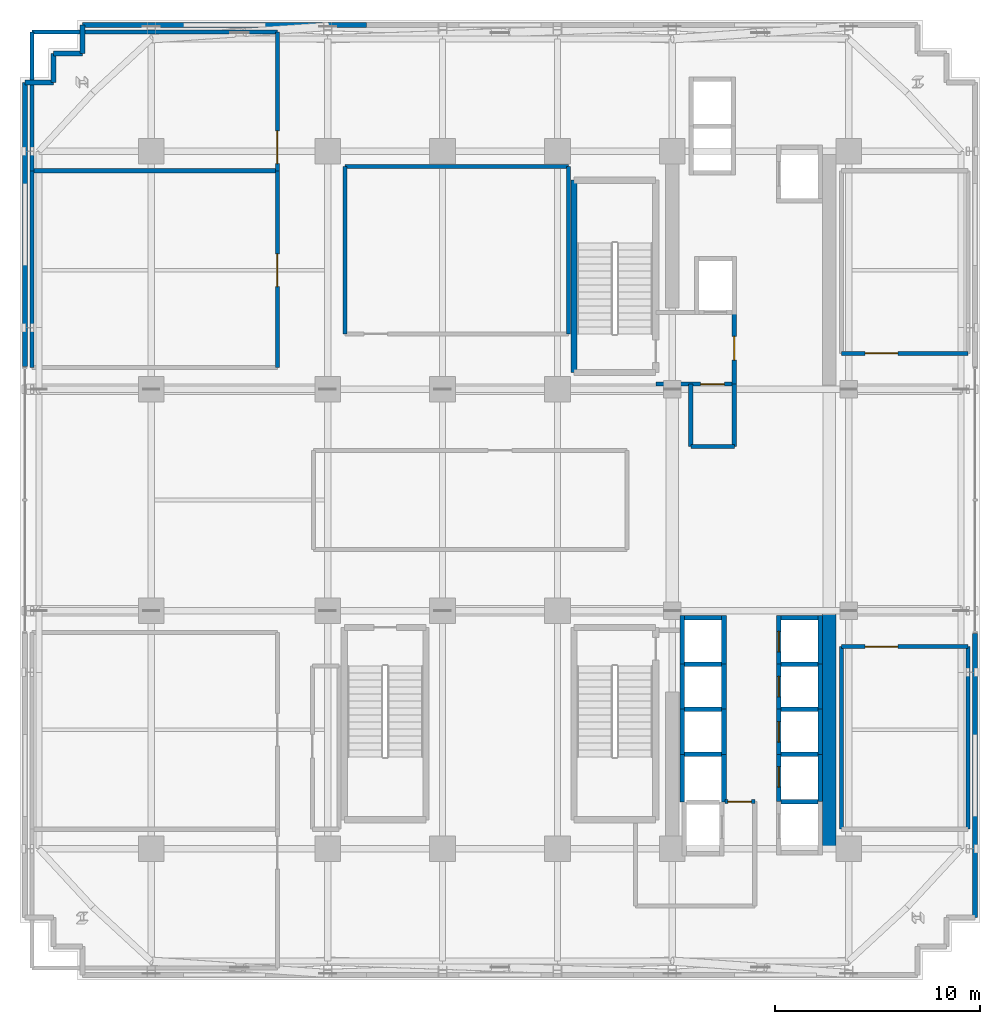
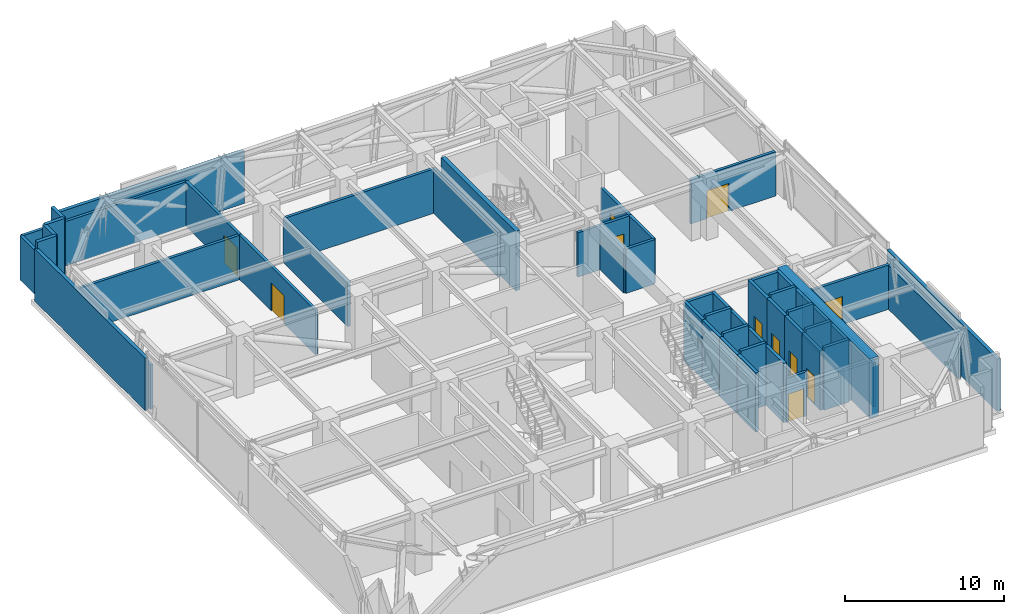
# One storey, part 10 of 15: 53 walls, 11 doors, 11 openings.
"""IFC4 building model written with IfcOpenShell, lengths in metres."""

import ifcopenshell
import ifcopenshell.guid

model = None  # the IFC model being written
_history = None  # IfcOwnerHistory: only IFC2X3 demands one
_inside = {}  # id of a spatial element -> (the spatial element, [elements in it])
_under = {}  # id of a project, library or spatial element -> (it, [spatial elements below it])
_declared = {}  # id of a project -> (the project, [libraries it declares])
_typed = {}  # id of a type object -> (the type object, [elements of that type])
_made_of = {}  # id of a material, layer set ... -> (it, [elements and type objects made of it])


def new_model(schema):
    """Start an empty IFC model of exactly this schema.

    Asked for "IFC4X3", IfcOpenShell would pick the latest addendum, in which some entities
    have other attributes; the version numbers below select the first issue.
    IFC2X3 requires an IfcOwnerHistory on every rooted entity: one is made here for all.
    """
    global model, _history
    if schema == "IFC4X3":
        model = ifcopenshell.file(schema_version=(4, 3, 0, 0))
    else:
        model = ifcopenshell.file(schema=schema)
    _inside.clear()
    _under.clear()
    _declared.clear()
    _typed.clear()
    _made_of.clear()
    _history = None
    if model.schema == "IFC2X3":
        org = make("IfcOrganization", Name="unknown")
        user = make(
            "IfcPersonAndOrganization",
            ThePerson=make("IfcPerson", FamilyName="unknown"),
            TheOrganization=org,
        )
        app = make(
            "IfcApplication",
            ApplicationDeveloper=org,
            Version="unknown",
            ApplicationFullName="unknown",
            ApplicationIdentifier="unknown",
        )
        _history = make(
            "IfcOwnerHistory",
            OwningUser=user,
            OwningApplication=app,
            ChangeAction="ADDED",
            CreationDate=0,
        )
    return model


def make(cls, **values):
    """One entity of the class cls with the attributes given. An attribute that is None is left unset."""
    return model.create_entity(
        cls, **{name: value for name, value in values.items() if value is not None}
    )


def rooted(cls, **values):
    """An entity with a GlobalId (a new one), such as an element, a storey or a relation."""
    return make(cls, GlobalId=ifcopenshell.guid.new(), OwnerHistory=_history, **values)


def si_unit(unit_type, name, prefix=None):
    """IfcSIUnit, for example si_unit("LENGTHUNIT", "METRE", prefix="MILLI")."""
    return make("IfcSIUnit", UnitType=unit_type, Prefix=prefix, Name=name)


def assignment(units):
    """IfcUnitAssignment: the units of a project."""
    return None if units is None else make("IfcUnitAssignment", Units=units)


def point(xyz):
    """IfcCartesianPoint."""
    return None if xyz is None else make("IfcCartesianPoint", Coordinates=xyz)


def direction(xyz):
    """IfcDirection."""
    return None if xyz is None else make("IfcDirection", DirectionRatios=xyz)


def frame(location, z_axis=None, x_axis=None):
    """IfcAxis2Placement3D, a coordinate frame: its origin and axes. An axis left out is left unset."""
    return make(
        "IfcAxis2Placement3D",
        Location=point(location),
        Axis=direction(z_axis),
        RefDirection=direction(x_axis),
    )


def frame_2d(location, x_axis=None):
    """IfcAxis2Placement2D, a coordinate frame in the plane: its origin and x axis."""
    return make(
        "IfcAxis2Placement2D", Location=point(location), RefDirection=direction(x_axis)
    )


def origin():
    """The frame at (0, 0, 0) with its axes left unset."""
    return frame((0.0, 0.0, 0.0))


def place(relative_to, where):
    """IfcLocalPlacement: puts the frame where relative to a parent placement (None: the world)."""
    return make(
        "IfcLocalPlacement", PlacementRelTo=relative_to, RelativePlacement=where
    )


def context(
    kind, dimensions, precision=None, world=None, true_north=None, identifier=None
):
    """IfcGeometricRepresentationContext, for example the 3D "Model" context."""
    return make(
        "IfcGeometricRepresentationContext",
        ContextIdentifier=identifier,
        ContextType=kind,
        CoordinateSpaceDimension=dimensions,
        Precision=precision,
        WorldCoordinateSystem=world,
        TrueNorth=true_north,
    )


def subcontext(parent, identifier, kind, view, scale=None):
    """IfcGeometricRepresentationSubContext, for example "Body" below "Model"."""
    return make(
        "IfcGeometricRepresentationSubContext",
        ContextIdentifier=identifier,
        ContextType=kind,
        ParentContext=parent,
        TargetScale=scale,
        TargetView=view,
    )


def project(units=None, contexts=None):
    """IfcProject with its units and contexts."""
    return rooted(
        "IfcProject",
        Name="project",
        RepresentationContexts=contexts,
        UnitsInContext=assignment(units),
    )


def spatial(cls, under=None, at=None, **own):
    """A site, building, storey or space (cls), placed at a placement, below another one or the project."""
    s = rooted(cls, ObjectPlacement=at, **own)
    if under is not None:
        _under.setdefault(under.id(), (under, []))[1].append(s)
    return s


def profile(cls, at=None, kind="AREA", **sizes):
    """A parametric profile (cls). Its sizes go by their IFC names, for example OverallWidth=200.0."""
    return make(cls, ProfileType=kind, Position=at, **sizes)


def rectangle(**sizes):
    """IfcRectangleProfileDef."""
    return profile("IfcRectangleProfileDef", **sizes)


def extrude(swept, where, along, depth):
    """IfcExtrudedAreaSolid: the profile swept, set in the frame where, extruded along a direction by depth."""
    return make(
        "IfcExtrudedAreaSolid",
        SweptArea=swept,
        Position=where,
        ExtrudedDirection=direction(along),
        Depth=depth,
    )


def shape(context_of_items, identifier, shape_type, items):
    """IfcShapeRepresentation: the items that make up one representation, for example the "Body"."""
    return make(
        "IfcShapeRepresentation",
        ContextOfItems=context_of_items,
        RepresentationIdentifier=identifier,
        RepresentationType=shape_type,
        Items=items,
    )


def source(mapping_origin, context_of_items, identifier, shape_type, items):
    """IfcRepresentationMap: a shape defined once, which mapped items show again and again."""
    return make(
        "IfcRepresentationMap",
        MappingOrigin=mapping_origin,
        MappedRepresentation=shape(context_of_items, identifier, shape_type, items),
    )


def transform(
    local_origin,
    x_axis=None,
    y_axis=None,
    z_axis=None,
    scale=None,
    scale2=None,
    scale3=None,
    uniform=True,
):
    """IfcCartesianTransformationOperator3D, or its non-uniform kind. x_axis, y_axis, z_axis: its Axis1, 2, 3."""
    if uniform:
        return make(
            "IfcCartesianTransformationOperator3D",
            Axis1=direction(x_axis),
            Axis2=direction(y_axis),
            LocalOrigin=point(local_origin),
            Scale=scale,
            Axis3=direction(z_axis),
        )
    return make(
        "IfcCartesianTransformationOperator3DnonUniform",
        Axis1=direction(x_axis),
        Axis2=direction(y_axis),
        LocalOrigin=point(local_origin),
        Scale=scale,
        Axis3=direction(z_axis),
        Scale2=scale2,
        Scale3=scale3,
    )


def mapped(mapping_source, mapping_target):
    """IfcMappedItem: shows the shape of a source again, moved by a transform."""
    return make(
        "IfcMappedItem", MappingSource=mapping_source, MappingTarget=mapping_target
    )


def material(Name=None, Category=None):
    """IfcMaterial."""
    return make("IfcMaterial", Name=Name, Category=Category)


def layer(
    of_material, thickness, ventilated=None, Name=None, Category=None, Priority=None
):
    """IfcMaterialLayer: one layer of a wall or slab, of a material (None: an air gap)."""
    return make(
        "IfcMaterialLayer",
        Material=of_material,
        LayerThickness=thickness,
        IsVentilated=ventilated,
        Name=Name,
        Category=Category,
        Priority=Priority,
    )


def layer_set(layers, Name=None):
    """IfcMaterialLayerSet."""
    return make("IfcMaterialLayerSet", MaterialLayers=layers, LayerSetName=Name)


def made_of(thing, what):
    """Note that an element or type object is made of a material, layer set ...; save() writes the relation."""
    if what is not None:
        _made_of.setdefault(what.id(), (what, []))[1].append(thing)
    return thing


def type_object(cls, material=None, **own):
    """A type object (cls), such as IfcWallType, which elements share."""
    return made_of(rooted(cls, **own), material)


def element(
    cls,
    number,
    at=None,
    inside=None,
    cuts=None,
    type_object=None,
    material=None,
    context=None,
    identifier="Body",
    shape_type=None,
    held_by="IfcProductDefinitionShape",
    body=None,
    shapes=None,
    **own,
):
    """One element of the class cls, such as IfcWall. Its Tag is "e" and its number.

    at: its placement. inside: the storey or other place that contains it. cuts: it is an
    opening in that element (IfcRelVoidsElement). A single representation is given by context,
    identifier, shape_type and body (its items); several are given by shapes. held_by: the class
    of the entity that holds the representations. save() writes the other relations.
    """
    e = rooted(cls, Tag="e%d" % number, ObjectPlacement=at, **own)
    if body is not None:
        shapes = [shape(context, identifier, shape_type, body)]
    if shapes is not None:
        e.Representation = make(held_by, Representations=shapes)
    if inside is not None:
        _inside.setdefault(inside.id(), (inside, []))[1].append(e)
    if cuts is not None:
        rooted(
            "IfcRelVoidsElement", RelatingBuildingElement=cuts, RelatedOpeningElement=e
        )
    if type_object is not None:
        _typed.setdefault(type_object.id(), (type_object, []))[1].append(e)
    return made_of(e, material)


def fill(opening, filler):
    """IfcRelFillsElement: the door or window that sits in an opening."""
    return rooted(
        "IfcRelFillsElement",
        RelatingOpeningElement=opening,
        RelatedBuildingElement=filler,
    )


def aggregate(whole, parts):
    """IfcRelAggregates: a whole, such as a stair, and the parts it consists of."""
    return rooted("IfcRelAggregates", RelatingObject=whole, RelatedObjects=parts)


def save(model, path):
    """Write the relations noted so far, then the file.

    IfcRelAggregates (storeys below a building ...), IfcRelContainedInSpatialStructure (elements
    in a storey), IfcRelDefinesByType, IfcRelAssociatesMaterial and IfcRelDeclares: one each for
    every whole, place, type object, material and project.
    """
    for whole, parts in _under.values():
        aggregate(whole, parts)
    for where, things in _inside.values():
        rooted(
            "IfcRelContainedInSpatialStructure",
            RelatedElements=things,
            RelatingStructure=where,
        )
    for kind, things in _typed.values():
        rooted("IfcRelDefinesByType", RelatedObjects=things, RelatingType=kind)
    for what, things in _made_of.values():
        rooted("IfcRelAssociatesMaterial", RelatedObjects=things, RelatingMaterial=what)
    for by, libraries in _declared.values():
        rooted("IfcRelDeclares", RelatingContext=by, RelatedDefinitions=libraries)
    model.write(path)


model = new_model("IFC4")

# Units and contexts
model_context = context("Model", 3, precision=1e-05, world=origin(), true_north=direction((0.0, 1.0)))
body_context = subcontext(model_context, "Body", "Model", "MODEL_VIEW")
ifc_project = project(units=[si_unit("LENGTHUNIT", "METRE"), si_unit("AREAUNIT", "SQUARE_METRE"), si_unit("VOLUMEUNIT", "CUBIC_METRE"), si_unit("PLANEANGLEUNIT", "RADIAN"), si_unit("MASSUNIT", "GRAM", prefix="KILO")], contexts=[model_context])

# Site, building, storey
site_placement = place(None, origin())
site = spatial("IfcSite", under=ifc_project, at=site_placement, CompositionType="ELEMENT")
building_placement = place(site_placement, origin())
building = spatial("IfcBuilding", under=site, at=building_placement, Name="Nahalor Promenade Grand Hotel", CompositionType="ELEMENT")
storey_placement = place(building_placement, frame((0.0, 0.0, 144.199951171875)))
storey = spatial("IfcBuildingStorey", under=building, at=storey_placement, Name="L36", CompositionType="ELEMENT", Elevation=144.199951171875)

# Walls
ifc_material_1 = material(Name="Concrete B-60 (C50/60)", Category="concrete")
ifc_layer_1 = layer(ifc_material_1, 0.64990234375)
ifc_layer_set_1 = layer_set([ifc_layer_1], Name="Concrete B-60 (C50/60)")
wall_type_1 = type_object("IfcWallType", Name="Wall-CoreShear-650", PredefinedType="SHEAR", material=ifc_layer_set_1)
shared_shape_1 = source(origin(), body_context, "Body", "SweptSolid", [
    extrude(rectangle(XDim=11.60009765625, YDim=0.64990234375, at=frame_2d((5.800048828125, 0.0))), origin(), (0.0, 0.0, 1.0), 4.5400390625),
])
wall_1_placement = place(storey_placement, frame((16.050048828125, -17.0, 0.0), z_axis=(0.0, 0.0, 1.0), x_axis=(0.0, 1.0, 0.0)))
element("IfcWall", 1, at=wall_1_placement, inside=storey, type_object=wall_type_1, Name="CWALL-L36-SE", PredefinedType="SHEAR", context=body_context, shape_type="MappedRepresentation", body=[
    mapped(shared_shape_1, transform((0.0, 0.0, 0.0), scale=1.0)),
])
ifc_material_2 = material(Name="Concrete B-50 (C40/50)", Category="concrete")
ifc_layer_2 = layer(ifc_material_2, 0.300048828125)
ifc_layer_set_2 = layer_set([ifc_layer_2], Name="Concrete B-50 (C40/50)")
wall_type_2 = type_object("IfcWallType", Name="Wall-ShaftShear-300", PredefinedType="SHEAR", material=ifc_layer_set_2)
shared_shape_2 = source(origin(), body_context, "Body", "SweptSolid", [
    extrude(rectangle(XDim=9.380126953125, YDim=0.300048828125, at=frame_2d((4.68994140625, 0.0))), origin(), (0.0, 0.0, 1.0), 4.5400390625),
])
wall_2_placement = place(storey_placement, frame((3.610107421875, 6.2099609375, 0.0), z_axis=(0.0, 0.0, 1.0), x_axis=(0.0, 1.0, 0.0)))
element("IfcWall", 2, at=wall_2_placement, inside=storey, type_object=wall_type_2, Name="L36 Exit Stair ST1 Shaft Wall W", PredefinedType="SHEAR", context=body_context, shape_type="MappedRepresentation", body=[
    mapped(shared_shape_2, transform((0.0, 0.0, 0.0), scale=1.0)),
])
ifc_layer_3 = layer(ifc_material_2, 0.219970703125)
ifc_layer_set_3 = layer_set([ifc_layer_3], Name="Concrete B-50 (C40/50)")
wall_type_3 = type_object("IfcWallType", Name="Wall-LiftShaft-220", PredefinedType="SHEAR", material=ifc_layer_set_3)
shared_shape_3 = source(origin(), body_context, "Body", "SweptSolid", [
    extrude(rectangle(XDim=1.820068359375, YDim=0.219970703125, at=frame_2d((0.91015625, 0.0))), origin(), (0.0, 0.0, 1.0), 4.800048828125),
])
for number, where, z_axis, x_axis, name in (
    (3, (13.68994140625, -8.0, 0.0), (0.0, 0.0, 1.0), (1.0, 0.0, 0.0), "L36 Lift PL6 Hoistway Wall N"),
    (4, (13.68994140625, -10.199951171875, 0.0), (0.0, 0.0, 1.0), (1.0, 0.0, 0.0), "L36 Lift PL7 Hoistway Wall N"),
    (5, (13.68994140625, -12.39990234375, 0.0), (0.0, 0.0, 1.0), (1.0, 0.0, 0.0), "L36 Lift PL8 Hoistway Wall N"),
    (6, (8.989990234375, -8.0, 0.0), (0.0, 0.0, 1.0), (1.0, 0.0, 0.0), "L36 Lift PL10 Hoistway Wall N"),
    (7, (8.989990234375, -10.199951171875, 0.0), (0.0, 0.0, 1.0), (1.0, 0.0, 0.0), "L36 Lift PL11 Hoistway Wall N"),
    (8, (8.989990234375, -12.39990234375, 0.0), (0.0, 0.0, 1.0), (1.0, 0.0, 0.0), "L36 Lift PL12 Hoistway Wall N"),
    (9, (13.68994140625, -14.699951171875, 0.0), (0.0, 0.0, 1.0), (1.0, 0.0, 0.0), "L36 Lift SV2 Hoistway Wall N"),
):
    element("IfcWall", number, at=place(storey_placement, frame(where, z_axis=z_axis, x_axis=x_axis)), inside=storey, type_object=wall_type_3, Name=name, PredefinedType="SHEAR", context=body_context, shape_type="MappedRepresentation", body=[
        mapped(shared_shape_3, transform((0.0, 0.0, 0.0), scale=1.0)),
    ])

# Wall, opening, door
shared_shape_4 = source(origin(), body_context, "Body", "SweptSolid", [
    extrude(rectangle(XDim=2.360107421875, YDim=0.219970703125, at=frame_2d((1.18017578125, 0.0))), origin(), (0.0, 0.0, 1.0), 4.5400390625),
])
wall_3_placement = place(storey_placement, frame((13.580078125, -8.0, 0.0), z_axis=(0.0, 0.0, 1.0), x_axis=(0.0, 1.0, 0.0)))
wall_3 = element("IfcWall", 10, at=wall_3_placement, inside=storey, type_object=wall_type_3, Name="L36 Lift PL5 Hoistway Wall W", PredefinedType="SHEAR", context=body_context, shape_type="MappedRepresentation", body=[
    mapped(shared_shape_4, transform((0.0, 0.0, 0.0), scale=1.0)),
])
opening_1_placement = place(wall_3_placement, frame((0.60009765625, 0.0, 0.0)))
opening_1 = element("IfcOpeningElement", 11, at=opening_1_placement, cuts=wall_3, Name="Opening LD-01", PredefinedType="OPENING", context=body_context, shape_type="SweptSolid", body=[
    extrude(rectangle(XDim=1.0, YDim=2.199951171875, at=frame_2d((0.5, 1.10009765625))), frame((0.0, 0.119873046875, 0.0), z_axis=(0.0, -1.0, 0.0), x_axis=(1.0, 0.0, 0.0)), (0.0, 0.0, 1.0), 0.239990234375),
])
ifc_material_3 = material(Name="Steel S355JR", Category="steel")
door_type_1 = type_object("IfcDoorType", Name="Door-LiftLanding-1000", OperationType="DOUBLE_DOOR_SLIDING", PredefinedType="DOOR", material=ifc_material_3)
shared_shape_5 = source(origin(), body_context, "Body", "SweptSolid", [
    extrude(rectangle(XDim=1.0, YDim=2.199951171875, at=frame_2d((0.5, 1.10009765625))), frame((0.0, 0.02490234375, 0.0), z_axis=(0.0, -1.0, 0.0), x_axis=(1.0, 0.0, 0.0)), (0.0, 0.0, 1.0), 0.050048828125),
])
door_1_placement = place(opening_1_placement, origin())
door_1 = element("IfcDoor", 12, at=door_1_placement, inside=storey, type_object=door_type_1, Name="DR-LIFT-PL5-L36", OperationType="DOUBLE_DOOR_SLIDING", OverallHeight=2.199951171875, OverallWidth=1.0, PredefinedType="DOOR", context=body_context, shape_type="MappedRepresentation", body=[
    mapped(shared_shape_5, transform((0.0, 0.0, 0.0), scale=1.0)),
])
fill(opening_1, door_1)

# Walls
for number, where, z_axis, x_axis, name in (
    (13, (15.6201171875, -8.0, 0.0), (0.0, 0.0, 1.0), (0.0, 1.0, 0.0), "L36 Lift PL5 Hoistway Wall E"),
    (14, (8.8798828125, -8.0, 0.0), (0.0, 0.0, 1.0), (0.0, 1.0, 0.0), "L36 Lift PL9 Hoistway Wall W"),
    (15, (10.919921875, -8.0, 0.0), (0.0, 0.0, 1.0), (0.0, 1.0, 0.0), "L36 Lift PL9 Hoistway Wall E"),
):
    element("IfcWall", number, at=place(storey_placement, frame(where, z_axis=z_axis, x_axis=x_axis)), inside=storey, type_object=wall_type_3, Name=name, PredefinedType="SHEAR", context=body_context, shape_type="MappedRepresentation", body=[
        mapped(shared_shape_4, transform((0.0, 0.0, 0.0), scale=1.0)),
    ])
shared_shape_6 = source(origin(), body_context, "Body", "SweptSolid", [
    extrude(rectangle(XDim=1.820068359375, YDim=0.219970703125, at=frame_2d((0.91015625, 0.0))), origin(), (0.0, 0.0, 1.0), 4.5400390625),
])
for number, where, z_axis, x_axis, name in (
    (16, (13.68994140625, -5.75, 0.0), (0.0, 0.0, 1.0), (1.0, 0.0, 0.0), "L36 Lift PL5 Hoistway Wall N"),
    (17, (8.989990234375, -5.75, 0.0), (0.0, 0.0, 1.0), (1.0, 0.0, 0.0), "L36 Lift PL9 Hoistway Wall N"),
):
    element("IfcWall", number, at=place(storey_placement, frame(where, z_axis=z_axis, x_axis=x_axis)), inside=storey, type_object=wall_type_3, Name=name, PredefinedType="SHEAR", context=body_context, shape_type="MappedRepresentation", body=[
        mapped(shared_shape_6, transform((0.0, 0.0, 0.0), scale=1.0)),
    ])

# Wall, opening, door
shared_shape_7 = source(origin(), body_context, "Body", "SweptSolid", [
    extrude(rectangle(XDim=2.199951171875, YDim=0.219970703125, at=frame_2d((1.10009765625, 0.0))), origin(), (0.0, 0.0, 1.0), 4.5400390625),
])
wall_4_placement = place(storey_placement, frame((13.580078125, -10.199951171875, 0.0), z_axis=(0.0, 0.0, 1.0), x_axis=(0.0, 1.0, 0.0)))
wall_4 = element("IfcWall", 18, at=wall_4_placement, inside=storey, type_object=wall_type_3, Name="L36 Lift PL6 Hoistway Wall W", PredefinedType="SHEAR", context=body_context, shape_type="MappedRepresentation", body=[
    mapped(shared_shape_7, transform((0.0, 0.0, 0.0), scale=1.0)),
])
opening_2_placement = place(wall_4_placement, frame((0.60009765625, 0.0, 0.0)))
opening_2 = element("IfcOpeningElement", 19, at=opening_2_placement, cuts=wall_4, Name="Opening LD-01", PredefinedType="OPENING", context=body_context, shape_type="SweptSolid", body=[
    extrude(rectangle(XDim=1.0, YDim=2.199951171875, at=frame_2d((0.5, 1.10009765625))), frame((0.0, 0.119873046875, 0.0), z_axis=(0.0, -1.0, 0.0), x_axis=(1.0, 0.0, 0.0)), (0.0, 0.0, 1.0), 0.239990234375),
])
door_2_placement = place(opening_2_placement, origin())
door_2 = element("IfcDoor", 20, at=door_2_placement, inside=storey, type_object=door_type_1, Name="DR-LIFT-PL6-L36", OperationType="DOUBLE_DOOR_SLIDING", OverallHeight=2.199951171875, OverallWidth=1.0, PredefinedType="DOOR", context=body_context, shape_type="MappedRepresentation", body=[
    mapped(shared_shape_5, transform((0.0, 0.0, 0.0), scale=1.0)),
])
fill(opening_2, door_2)

# Wall
wall_5_placement = place(storey_placement, frame((15.6201171875, -10.199951171875, 0.0), z_axis=(0.0, 0.0, 1.0), x_axis=(0.0, 1.0, 0.0)))
element("IfcWall", 21, at=wall_5_placement, inside=storey, type_object=wall_type_3, Name="L36 Lift PL6 Hoistway Wall E", PredefinedType="SHEAR", context=body_context, shape_type="MappedRepresentation", body=[
    mapped(shared_shape_7, transform((0.0, 0.0, 0.0), scale=1.0)),
])

# Wall, opening, door
wall_6_placement = place(storey_placement, frame((13.580078125, -12.39990234375, 0.0), z_axis=(0.0, 0.0, 1.0), x_axis=(0.0, 1.0, 0.0)))
wall_6 = element("IfcWall", 22, at=wall_6_placement, inside=storey, type_object=wall_type_3, Name="L36 Lift PL7 Hoistway Wall W", PredefinedType="SHEAR", context=body_context, shape_type="MappedRepresentation", body=[
    mapped(shared_shape_7, transform((0.0, 0.0, 0.0), scale=1.0)),
])
opening_3_placement = place(wall_6_placement, frame((0.60009765625, 0.0, 0.0)))
opening_3 = element("IfcOpeningElement", 23, at=opening_3_placement, cuts=wall_6, Name="Opening LD-01", PredefinedType="OPENING", context=body_context, shape_type="SweptSolid", body=[
    extrude(rectangle(XDim=1.0, YDim=2.199951171875, at=frame_2d((0.5, 1.10009765625))), frame((0.0, 0.119873046875, 0.0), z_axis=(0.0, -1.0, 0.0), x_axis=(1.0, 0.0, 0.0)), (0.0, 0.0, 1.0), 0.239990234375),
])
door_3_placement = place(opening_3_placement, origin())
door_3 = element("IfcDoor", 24, at=door_3_placement, inside=storey, type_object=door_type_1, Name="DR-LIFT-PL7-L36", OperationType="DOUBLE_DOOR_SLIDING", OverallHeight=2.199951171875, OverallWidth=1.0, PredefinedType="DOOR", context=body_context, shape_type="MappedRepresentation", body=[
    mapped(shared_shape_5, transform((0.0, 0.0, 0.0), scale=1.0)),
])
fill(opening_3, door_3)

# Walls
for number, where, z_axis, x_axis, name in (
    (25, (15.6201171875, -12.39990234375, 0.0), (0.0, 0.0, 1.0), (0.0, 1.0, 0.0), "L36 Lift PL7 Hoistway Wall E"),
    (26, (8.8798828125, -10.199951171875, 0.0), (0.0, 0.0, 1.0), (0.0, 1.0, 0.0), "L36 Lift PL10 Hoistway Wall W"),
    (27, (10.919921875, -10.199951171875, 0.0), (0.0, 0.0, 1.0), (0.0, 1.0, 0.0), "L36 Lift PL10 Hoistway Wall E"),
    (28, (8.8798828125, -12.39990234375, 0.0), (0.0, 0.0, 1.0), (0.0, 1.0, 0.0), "L36 Lift PL11 Hoistway Wall W"),
    (29, (10.919921875, -12.39990234375, 0.0), (0.0, 0.0, 1.0), (0.0, 1.0, 0.0), "L36 Lift PL11 Hoistway Wall E"),
):
    element("IfcWall", number, at=place(storey_placement, frame(where, z_axis=z_axis, x_axis=x_axis)), inside=storey, type_object=wall_type_3, Name=name, PredefinedType="SHEAR", context=body_context, shape_type="MappedRepresentation", body=[
        mapped(shared_shape_7, transform((0.0, 0.0, 0.0), scale=1.0)),
    ])

# Wall, opening, door
shared_shape_8 = source(origin(), body_context, "Body", "SweptSolid", [
    extrude(rectangle(XDim=2.300048828125, YDim=0.219970703125, at=frame_2d((1.14990234375, 0.0))), origin(), (0.0, 0.0, 1.0), 4.5400390625),
])
wall_7_placement = place(storey_placement, frame((13.580078125, -14.699951171875, 0.0), z_axis=(0.0, 0.0, 1.0), x_axis=(0.0, 1.0, 0.0)))
wall_7 = element("IfcWall", 30, at=wall_7_placement, inside=storey, type_object=wall_type_3, Name="L36 Lift PL8 Hoistway Wall W", PredefinedType="SHEAR", context=body_context, shape_type="MappedRepresentation", body=[
    mapped(shared_shape_8, transform((0.0, 0.0, 0.0), scale=1.0)),
])
opening_4_placement = place(wall_7_placement, frame((0.699951171875, 0.0, 0.0)))
opening_4 = element("IfcOpeningElement", 31, at=opening_4_placement, cuts=wall_7, Name="Opening LD-01", PredefinedType="OPENING", context=body_context, shape_type="SweptSolid", body=[
    extrude(rectangle(XDim=1.0, YDim=2.199951171875, at=frame_2d((0.5, 1.10009765625))), frame((0.0, 0.119873046875, 0.0), z_axis=(0.0, -1.0, 0.0), x_axis=(1.0, 0.0, 0.0)), (0.0, 0.0, 1.0), 0.239990234375),
])
door_4_placement = place(opening_4_placement, origin())
door_4 = element("IfcDoor", 32, at=door_4_placement, inside=storey, type_object=door_type_1, Name="DR-LIFT-PL8-L36", OperationType="DOUBLE_DOOR_SLIDING", OverallHeight=2.199951171875, OverallWidth=1.0, PredefinedType="DOOR", context=body_context, shape_type="MappedRepresentation", body=[
    mapped(shared_shape_5, transform((0.0, 0.0, 0.0), scale=1.0)),
])
fill(opening_4, door_4)

# Walls
wall_8_placement = place(storey_placement, frame((15.6201171875, -14.699951171875, 0.0), z_axis=(0.0, 0.0, 1.0), x_axis=(0.0, 1.0, 0.0)))
element("IfcWall", 33, at=wall_8_placement, inside=storey, type_object=wall_type_3, Name="L36 Lift PL8 Hoistway Wall E", PredefinedType="SHEAR", context=body_context, shape_type="MappedRepresentation", body=[
    mapped(shared_shape_8, transform((0.0, 0.0, 0.0), scale=1.0)),
])
shared_shape_9 = source(origin(), body_context, "Body", "SweptSolid", [
    extrude(rectangle(XDim=2.3251953125, YDim=0.219970703125, at=frame_2d((1.16259765625, 0.0))), origin(), (0.0, 0.0, 1.0), 4.5400390625),
])
for number, where, z_axis, x_axis, name in (
    (34, (8.8798828125, -14.72509765625, 0.0), (0.0, 0.0, 1.0), (0.0, 1.0, 0.0), "L36 Lift PL12 Hoistway Wall W"),
    (35, (10.919921875, -14.72509765625, 0.0), (0.0, 0.0, 1.0), (0.0, 1.0, 0.0), "L36 Lift PL12 Hoistway Wall E"),
):
    element("IfcWall", number, at=place(storey_placement, frame(where, z_axis=z_axis, x_axis=x_axis)), inside=storey, type_object=wall_type_3, Name=name, PredefinedType="SHEAR", context=body_context, shape_type="MappedRepresentation", body=[
        mapped(shared_shape_9, transform((0.0, 0.0, 0.0), scale=1.0)),
    ])
ifc_material_4 = material(Name="Concrete B-40 (C32/40)", Category="concrete")
ifc_layer_4 = layer(ifc_material_4, 0.25)
ifc_layer_set_4 = layer_set([ifc_layer_4], Name="Concrete B-40 (C32/40)")
wall_type_4 = type_object("IfcWallType", Name="Wall-BronzePier-250", PredefinedType="STANDARD", material=ifc_layer_set_4)
shared_shape_10 = source(origin(), body_context, "Body", "SweptSolid", [
    extrude(rectangle(XDim=1.39990234375, YDim=0.25, at=frame_2d((0.699951171875, 0.0))), origin(), (0.0, 0.0, 1.0), 4.5400390625),
])
for number, where, z_axis, x_axis, name in (
    (36, (-20.360107421875, 21.760009765625, 0.0), (0.0, 0.0, 1.0), (0.0, 1.0, 0.0), "W-L36-SR-09"),
    (37, (-21.760009765625, 21.760009765625, 0.0), (0.0, 0.0, 1.0), (1.0, 0.0, 0.0), "W-L36-SR-10"),
    (38, (-21.760009765625, 20.360107421875, 0.0), (0.0, 0.0, 1.0), (0.0, 1.0, 0.0), "W-L36-SR-11"),
    (39, (-23.159912109375, 20.360107421875, 0.0), (0.0, 0.0, 1.0), (1.0, 0.0, 0.0), "W-L36-SR-12"),
):
    element("IfcWall", number, at=place(storey_placement, frame(where, z_axis=z_axis, x_axis=x_axis)), inside=storey, type_object=wall_type_4, Name=name, PredefinedType="STANDARD", context=body_context, shape_type="MappedRepresentation", body=[
        mapped(shared_shape_10, transform((0.0, 0.0, 0.0), scale=1.0)),
    ])
shared_shape_11 = source(origin(), body_context, "Body", "SweptSolid", [
    extrude(rectangle(XDim=13.860107421875, YDim=0.25, at=frame_2d((6.93017578125, 0.0))), origin(), (0.0, 0.0, 1.0), 4.02001953125),
])
for number, where, z_axis, x_axis, name in (
    (40, (-20.360107421875, 23.159912109375, 0.0), (0.0, 0.0, 1.0), (1.0, 0.0, 0.0), "W-L36-PL-NL"),
    (41, (-23.159912109375, 6.5, 0.0), (0.0, 0.0, 1.0), (0.0, 1.0, 0.0), "W-L36-PL-WR"),
    (42, (23.159912109375, -20.360107421875, 0.0), (0.0, 0.0, 1.0), (0.0, 1.0, 0.0), "W-L36-PL-EL"),
):
    element("IfcWall", number, at=place(storey_placement, frame(where, z_axis=z_axis, x_axis=x_axis)), inside=storey, type_object=wall_type_4, Name=name, PredefinedType="STANDARD", context=body_context, shape_type="MappedRepresentation", body=[
        mapped(shared_shape_11, transform((0.0, 0.0, 0.0), scale=1.0)),
    ])

# Wall, opening, door
ifc_layer_5 = layer(ifc_material_4, 0.199951171875)
ifc_layer_set_5 = layer_set([ifc_layer_5], Name="Concrete B-40 (C32/40)")
wall_type_5 = type_object("IfcWallType", Name="Wall-PartFire-200", PredefinedType="PARTITIONING", material=ifc_layer_set_5)
shared_shape_12 = source(origin(), body_context, "Body", "SweptSolid", [
    extrude(rectangle(XDim=3.81982421875, YDim=0.199951171875, at=frame_2d((1.909912109375, 0.0))), origin(), (0.0, 0.0, 1.0), 3.400146484375),
])
wall_9_placement = place(storey_placement, frame((7.60009765625, 5.64990234375, 0.0), z_axis=(0.0, 0.0, 1.0), x_axis=(1.0, 0.0, 0.0)))
wall_9 = element("IfcWall", 43, at=wall_9_placement, inside=storey, type_object=wall_type_5, Name="W-L36-FF1-S", PredefinedType="PARTITIONING", context=body_context, shape_type="MappedRepresentation", body=[
    mapped(shared_shape_12, transform((0.0, 0.0, 0.0), scale=1.0)),
])
opening_5_placement = place(wall_9_placement, frame((2.18505859375, 0.0, 0.0)))
opening_5 = element("IfcOpeningElement", 44, at=opening_5_placement, cuts=wall_9, Name="Opening D-FF1", PredefinedType="OPENING", context=body_context, shape_type="SweptSolid", body=[
    extrude(rectangle(XDim=1.14990234375, YDim=2.14990234375, at=frame_2d((0.574951171875, 1.074951171875))), frame((0.0, 0.10986328125, 0.0), z_axis=(0.0, -1.0, 0.0), x_axis=(1.0, 0.0, 0.0)), (0.0, 0.0, 1.0), 0.219970703125),
])
door_type_2 = type_object("IfcDoorType", Name="Door-FFLobby-1150", OperationType="NOTDEFINED", PredefinedType="DOOR", material=ifc_material_3)
shared_shape_13 = source(origin(), body_context, "Body", "SweptSolid", [
    extrude(rectangle(XDim=1.14990234375, YDim=2.14990234375, at=frame_2d((0.574951171875, 1.074951171875))), frame((0.0, 0.02490234375, 0.0), z_axis=(0.0, -1.0, 0.0), x_axis=(1.0, 0.0, 0.0)), (0.0, 0.0, 1.0), 0.050048828125),
])
door_5_placement = place(opening_5_placement, frame((1.14990234375, 0.0, 0.0), z_axis=(0.0, 0.0, 1.0), x_axis=(-1.0, 0.0, 0.0)))
door_5 = element("IfcDoor", 45, at=door_5_placement, inside=storey, type_object=door_type_2, Name="DR-L36-REF-FF1", OperationType="SINGLE_SWING_LEFT", OverallHeight=2.14990234375, OverallWidth=1.14990234375, PredefinedType="DOOR", context=body_context, shape_type="MappedRepresentation", body=[
    mapped(shared_shape_13, transform((0.0, 0.0, 0.0), scale=1.0)),
])
fill(opening_5, door_5)

shared_shape_14 = source(origin(), body_context, "Body", "SweptSolid", [
    extrude(rectangle(XDim=3.5, YDim=0.199951171875, at=frame_2d((1.75, 0.0))), origin(), (0.0, 0.0, 1.0), 3.400146484375),
])
wall_10_placement = place(storey_placement, frame((11.419921875, 5.64990234375, 0.0), z_axis=(0.0, 0.0, 1.0), x_axis=(0.0, 1.0, 0.0)))
wall_10 = element("IfcWall", 46, at=wall_10_placement, inside=storey, type_object=wall_type_5, Name="W-L36-FF1-E", PredefinedType="PARTITIONING", context=body_context, shape_type="MappedRepresentation", body=[
    mapped(shared_shape_14, transform((0.0, 0.0, 0.0), scale=1.0)),
])
opening_6_placement = place(wall_10_placement, frame((1.175048828125, 0.0, 0.0)))
opening_6 = element("IfcOpeningElement", 47, at=opening_6_placement, cuts=wall_10, Name="Opening D-FF1", PredefinedType="OPENING", context=body_context, shape_type="SweptSolid", body=[
    extrude(rectangle(XDim=1.14990234375, YDim=2.14990234375, at=frame_2d((0.574951171875, 1.074951171875))), frame((0.0, 0.10986328125, 0.0), z_axis=(0.0, -1.0, 0.0), x_axis=(1.0, 0.0, 0.0)), (0.0, 0.0, 1.0), 0.219970703125),
])
door_6_placement = place(opening_6_placement, frame((1.14990234375, 0.0, 0.0), z_axis=(0.0, 0.0, 1.0), x_axis=(-1.0, 0.0, 0.0)))
door_6 = element("IfcDoor", 48, at=door_6_placement, inside=storey, type_object=door_type_2, Name="DR-L36-FFL1", OperationType="SINGLE_SWING_LEFT", OverallHeight=2.14990234375, OverallWidth=1.14990234375, PredefinedType="DOOR", context=body_context, shape_type="MappedRepresentation", body=[
    mapped(shared_shape_13, transform((0.0, 0.0, 0.0), scale=1.0)),
])
fill(opening_6, door_6)

shared_shape_15 = source(origin(), body_context, "Body", "SweptSolid", [
    extrude(rectangle(XDim=1.4599609375, YDim=0.199951171875, at=frame_2d((0.72998046875, 0.0))), origin(), (0.0, 0.0, 1.0), 3.400146484375),
])
wall_11_placement = place(storey_placement, frame((10.9599609375, -14.699951171875, 0.0), z_axis=(0.0, 0.0, 1.0), x_axis=(1.0, 0.0, 0.0)))
wall_11 = element("IfcWall", 49, at=wall_11_placement, inside=storey, type_object=wall_type_5, Name="W-L36-FF2-N1", PredefinedType="PARTITIONING", context=body_context, shape_type="MappedRepresentation", body=[
    mapped(shared_shape_15, transform((0.0, 0.0, 0.0), scale=1.0)),
])
opening_7_placement = place(wall_11_placement, frame((0.14501953125, 0.0, 0.0)))
opening_7 = element("IfcOpeningElement", 50, at=opening_7_placement, cuts=wall_11, Name="Opening D-FF1", PredefinedType="OPENING", context=body_context, shape_type="SweptSolid", body=[
    extrude(rectangle(XDim=1.14990234375, YDim=2.14990234375, at=frame_2d((0.574951171875, 1.074951171875))), frame((0.0, 0.10986328125, 0.0), z_axis=(0.0, -1.0, 0.0), x_axis=(1.0, 0.0, 0.0)), (0.0, 0.0, 1.0), 0.219970703125),
])
door_7_placement = place(opening_7_placement, origin())
door_7 = element("IfcDoor", 51, at=door_7_placement, inside=storey, type_object=door_type_2, Name="DR-L36-FFL2", OperationType="SINGLE_SWING_RIGHT", OverallHeight=2.14990234375, OverallWidth=1.14990234375, PredefinedType="DOOR", context=body_context, shape_type="MappedRepresentation", body=[
    mapped(shared_shape_13, transform((0.0, 0.0, 0.0), scale=1.0)),
])
fill(opening_7, door_7)

# Walls
shared_shape_16 = source(origin(), body_context, "Body", "SweptSolid", [
    extrude(rectangle(XDim=2.119873046875, YDim=0.199951171875, at=frame_2d((1.06005859375, 0.0))), origin(), (0.0, 0.0, 1.0), 3.400146484375),
])
wall_12_placement = place(storey_placement, frame((9.300048828125, 2.60009765625, 0.0), z_axis=(0.0, 0.0, 1.0), x_axis=(1.0, 0.0, 0.0)))
element("IfcWall", 52, at=wall_12_placement, inside=storey, type_object=wall_type_5, Name="W-L36-REF-S", PredefinedType="PARTITIONING", context=body_context, shape_type="MappedRepresentation", body=[
    mapped(shared_shape_16, transform((0.0, 0.0, 0.0), scale=1.0)),
])
shared_shape_17 = source(origin(), body_context, "Body", "SweptSolid", [
    extrude(rectangle(XDim=3.0498046875, YDim=0.199951171875, at=frame_2d((1.52490234375, 0.0))), origin(), (0.0, 0.0, 1.0), 3.400146484375),
])
for number, where, z_axis, x_axis, name in (
    (53, (9.300048828125, 2.60009765625, 0.0), (0.0, 0.0, 1.0), (0.0, 1.0, 0.0), "W-L36-REF-W"),
    (54, (11.419921875, 2.60009765625, 0.0), (0.0, 0.0, 1.0), (0.0, 1.0, 0.0), "W-L36-REF-E"),
):
    element("IfcWall", number, at=place(storey_placement, frame(where, z_axis=z_axis, x_axis=x_axis)), inside=storey, type_object=wall_type_5, Name=name, PredefinedType="PARTITIONING", context=body_context, shape_type="MappedRepresentation", body=[
        mapped(shared_shape_17, transform((0.0, 0.0, 0.0), scale=1.0)),
    ])
shared_shape_18 = source(origin(), body_context, "Body", "SweptSolid", [
    extrude(rectangle(XDim=10.89013671875, YDim=0.199951171875, at=frame_2d((5.445068359375, 0.0))), origin(), (0.0, 0.0, 1.0), 3.400146484375),
])
wall_13_placement = place(storey_placement, frame((-7.550048828125, 16.25, 0.0), z_axis=(0.0, 0.0, 1.0), x_axis=(1.0, 0.0, 0.0)))
element("IfcWall", 55, at=wall_13_placement, inside=storey, type_object=wall_type_5, Name="W-L36-REF2-N", PredefinedType="PARTITIONING", context=body_context, shape_type="MappedRepresentation", body=[
    mapped(shared_shape_18, transform((0.0, 0.0, 0.0), scale=1.0)),
])
shared_shape_19 = source(origin(), body_context, "Body", "SweptSolid", [
    extrude(rectangle(XDim=8.14990234375, YDim=0.199951171875, at=frame_2d((4.074951171875, 0.0))), origin(), (0.0, 0.0, 1.0), 3.400146484375),
])
for number, where, z_axis, x_axis, name in (
    (56, (-7.550048828125, 8.10009765625, 0.0), (0.0, 0.0, 1.0), (0.0, 1.0, 0.0), "W-L36-REF2-W"),
    (57, (3.340087890625, 8.10009765625, 0.0), (0.0, 0.0, 1.0), (0.0, 1.0, 0.0), "W-L36-REF2-E"),
):
    element("IfcWall", number, at=place(storey_placement, frame(where, z_axis=z_axis, x_axis=x_axis)), inside=storey, type_object=wall_type_5, Name=name, PredefinedType="PARTITIONING", context=body_context, shape_type="MappedRepresentation", body=[
        mapped(shared_shape_19, transform((0.0, 0.0, 0.0), scale=1.0)),
    ])
shared_shape_20 = source(origin(), body_context, "Body", "SweptSolid", [
    extrude(rectangle(XDim=11.969970703125, YDim=0.199951171875, at=frame_2d((5.98486328125, 0.0))), origin(), (0.0, 0.0, 1.0), 3.400146484375),
])
for number, where, z_axis, x_axis, name in (
    (58, (-22.820068359375, 16.050048828125, 0.0), (0.0, 0.0, 1.0), (1.0, 0.0, 0.0), "W-L36-MP1-N"),
    (59, (-22.820068359375, 22.820068359375, 0.0), (0.0, 0.0, 1.0), (1.0, 0.0, 0.0), "W-L36-MP2-N"),
):
    element("IfcWall", number, at=place(storey_placement, frame(where, z_axis=z_axis, x_axis=x_axis)), inside=storey, type_object=wall_type_5, Name=name, PredefinedType="PARTITIONING", context=body_context, shape_type="MappedRepresentation", body=[
        mapped(shared_shape_20, transform((0.0, 0.0, 0.0), scale=1.0)),
    ])
shared_shape_21 = source(origin(), body_context, "Body", "SweptSolid", [
    extrude(rectangle(XDim=9.60009765625, YDim=0.199951171875, at=frame_2d((4.800048828125, 0.0))), origin(), (0.0, 0.0, 1.0), 3.400146484375),
])
wall_14_placement = place(storey_placement, frame((-22.820068359375, 6.449951171875, 0.0), z_axis=(0.0, 0.0, 1.0), x_axis=(0.0, 1.0, 0.0)))
element("IfcWall", 60, at=wall_14_placement, inside=storey, type_object=wall_type_5, Name="W-L36-MP1-W", PredefinedType="PARTITIONING", context=body_context, shape_type="MappedRepresentation", body=[
    mapped(shared_shape_21, transform((0.0, 0.0, 0.0), scale=1.0)),
])

# Wall, opening, door
wall_15_placement = place(storey_placement, frame((-10.85009765625, 6.449951171875, 0.0), z_axis=(0.0, 0.0, 1.0), x_axis=(0.0, 1.0, 0.0)))
wall_15 = element("IfcWall", 61, at=wall_15_placement, inside=storey, type_object=wall_type_5, Name="W-L36-MP1-E", PredefinedType="PARTITIONING", context=body_context, shape_type="MappedRepresentation", body=[
    mapped(shared_shape_21, transform((0.0, 0.0, 0.0), scale=1.0)),
])
opening_8_placement = place(wall_15_placement, frame((3.949951171875, 0.0, 0.0)))
opening_8 = element("IfcOpeningElement", 62, at=opening_8_placement, cuts=wall_15, Name="Opening D-06", PredefinedType="OPENING", context=body_context, shape_type="SweptSolid", body=[
    extrude(rectangle(XDim=1.60009765625, YDim=2.14990234375, at=frame_2d((0.800048828125, 1.074951171875))), frame((0.0, 0.10986328125, 0.0), z_axis=(0.0, -1.0, 0.0), x_axis=(1.0, 0.0, 0.0)), (0.0, 0.0, 1.0), 0.219970703125),
])
door_type_3 = type_object("IfcDoorType", Name="Door-PlantDouble-1600", OperationType="DOUBLE_DOOR_SINGLE_SWING", PredefinedType="DOOR", material=ifc_material_3)
shared_shape_22 = source(origin(), body_context, "Body", "SweptSolid", [
    extrude(rectangle(XDim=1.60009765625, YDim=2.14990234375, at=frame_2d((0.800048828125, 1.074951171875))), frame((0.0, 0.02490234375, 0.0), z_axis=(0.0, -1.0, 0.0), x_axis=(1.0, 0.0, 0.0)), (0.0, 0.0, 1.0), 0.050048828125),
])
door_8_placement = place(opening_8_placement, origin())
door_8 = element("IfcDoor", 63, at=door_8_placement, inside=storey, type_object=door_type_3, Name="DR-L36-MP1", OperationType="DOUBLE_DOOR_SINGLE_SWING", OverallHeight=2.14990234375, OverallWidth=1.60009765625, PredefinedType="DOOR", context=body_context, shape_type="MappedRepresentation", body=[
    mapped(shared_shape_22, transform((0.0, 0.0, 0.0), scale=1.0)),
])
fill(opening_8, door_8)

# Wall
shared_shape_23 = source(origin(), body_context, "Body", "SweptSolid", [
    extrude(rectangle(XDim=6.77001953125, YDim=0.199951171875, at=frame_2d((3.385009765625, 0.0))), origin(), (0.0, 0.0, 1.0), 3.400146484375),
])
wall_16_placement = place(storey_placement, frame((-22.820068359375, 16.050048828125, 0.0), z_axis=(0.0, 0.0, 1.0), x_axis=(0.0, 1.0, 0.0)))
element("IfcWall", 64, at=wall_16_placement, inside=storey, type_object=wall_type_5, Name="W-L36-MP2-W", PredefinedType="PARTITIONING", context=body_context, shape_type="MappedRepresentation", body=[
    mapped(shared_shape_23, transform((0.0, 0.0, 0.0), scale=1.0)),
])

# Wall, opening, door
wall_17_placement = place(storey_placement, frame((-10.85009765625, 16.050048828125, 0.0), z_axis=(0.0, 0.0, 1.0), x_axis=(0.0, 1.0, 0.0)))
wall_17 = element("IfcWall", 65, at=wall_17_placement, inside=storey, type_object=wall_type_5, Name="W-L36-MP2-E", PredefinedType="PARTITIONING", context=body_context, shape_type="MappedRepresentation", body=[
    mapped(shared_shape_23, transform((0.0, 0.0, 0.0), scale=1.0)),
])
opening_9_placement = place(wall_17_placement, frame((0.35009765625, 0.0, 0.0)))
opening_9 = element("IfcOpeningElement", 66, at=opening_9_placement, cuts=wall_17, Name="Opening D-06", PredefinedType="OPENING", context=body_context, shape_type="SweptSolid", body=[
    extrude(rectangle(XDim=1.60009765625, YDim=2.14990234375, at=frame_2d((0.800048828125, 1.074951171875))), frame((0.0, 0.10986328125, 0.0), z_axis=(0.0, -1.0, 0.0), x_axis=(1.0, 0.0, 0.0)), (0.0, 0.0, 1.0), 0.219970703125),
])
door_9_placement = place(opening_9_placement, origin())
door_9 = element("IfcDoor", 67, at=door_9_placement, inside=storey, type_object=door_type_3, Name="DR-L36-MP2", OperationType="DOUBLE_DOOR_SINGLE_SWING", OverallHeight=2.14990234375, OverallWidth=1.60009765625, PredefinedType="DOOR", context=body_context, shape_type="MappedRepresentation", body=[
    mapped(shared_shape_22, transform((0.0, 0.0, 0.0), scale=1.0)),
])
fill(opening_9, door_9)

shared_shape_24 = source(origin(), body_context, "Body", "SweptSolid", [
    extrude(rectangle(XDim=6.170166015625, YDim=0.199951171875, at=frame_2d((3.0849609375, 0.0))), origin(), (0.0, 0.0, 1.0), 3.400146484375),
])
wall_18_placement = place(storey_placement, frame((16.64990234375, 7.14990234375, 0.0), z_axis=(0.0, 0.0, 1.0), x_axis=(1.0, 0.0, 0.0)))
wall_18 = element("IfcWall", 68, at=wall_18_placement, inside=storey, type_object=wall_type_5, Name="W-L36-MP5-S", PredefinedType="PARTITIONING", context=body_context, shape_type="MappedRepresentation", body=[
    mapped(shared_shape_24, transform((0.0, 0.0, 0.0), scale=1.0)),
])
opening_10_placement = place(wall_18_placement, frame((1.14990234375, 0.0, 0.0)))
opening_10 = element("IfcOpeningElement", 69, at=opening_10_placement, cuts=wall_18, Name="Opening D-06", PredefinedType="OPENING", context=body_context, shape_type="SweptSolid", body=[
    extrude(rectangle(XDim=1.60009765625, YDim=2.14990234375, at=frame_2d((0.800048828125, 1.074951171875))), frame((0.0, 0.10986328125, 0.0), z_axis=(0.0, -1.0, 0.0), x_axis=(1.0, 0.0, 0.0)), (0.0, 0.0, 1.0), 0.219970703125),
])
door_10_placement = place(opening_10_placement, origin())
door_10 = element("IfcDoor", 70, at=door_10_placement, inside=storey, type_object=door_type_3, Name="DR-L36-MP5", OperationType="DOUBLE_DOOR_SINGLE_SWING", OverallHeight=2.14990234375, OverallWidth=1.60009765625, PredefinedType="DOOR", context=body_context, shape_type="MappedRepresentation", body=[
    mapped(shared_shape_22, transform((0.0, 0.0, 0.0), scale=1.0)),
])
fill(opening_10, door_10)

wall_19_placement = place(storey_placement, frame((16.64990234375, -7.14990234375, 0.0), z_axis=(0.0, 0.0, 1.0), x_axis=(1.0, 0.0, 0.0)))
wall_19 = element("IfcWall", 71, at=wall_19_placement, inside=storey, type_object=wall_type_5, Name="W-L36-MP6-N", PredefinedType="PARTITIONING", context=body_context, shape_type="MappedRepresentation", body=[
    mapped(shared_shape_24, transform((0.0, 0.0, 0.0), scale=1.0)),
])
opening_11_placement = place(wall_19_placement, frame((1.14990234375, 0.0, 0.0)))
opening_11 = element("IfcOpeningElement", 72, at=opening_11_placement, cuts=wall_19, Name="Opening D-06", PredefinedType="OPENING", context=body_context, shape_type="SweptSolid", body=[
    extrude(rectangle(XDim=1.60009765625, YDim=2.14990234375, at=frame_2d((0.800048828125, 1.074951171875))), frame((0.0, 0.10986328125, 0.0), z_axis=(0.0, -1.0, 0.0), x_axis=(1.0, 0.0, 0.0)), (0.0, 0.0, 1.0), 0.219970703125),
])
door_11_placement = place(opening_11_placement, frame((1.60009765625, 0.0, 0.0), z_axis=(0.0, 0.0, 1.0), x_axis=(-1.0, 0.0, 0.0)))
door_11 = element("IfcDoor", 73, at=door_11_placement, inside=storey, type_object=door_type_3, Name="DR-L36-MP6", OperationType="DOUBLE_DOOR_SINGLE_SWING", OverallHeight=2.14990234375, OverallWidth=1.60009765625, PredefinedType="DOOR", context=body_context, shape_type="MappedRepresentation", body=[
    mapped(shared_shape_22, transform((0.0, 0.0, 0.0), scale=1.0)),
])
fill(opening_11, door_11)

# Walls
shared_shape_25 = source(origin(), body_context, "Body", "SweptSolid", [
    extrude(rectangle(XDim=8.900146484375, YDim=0.199951171875, at=frame_2d((4.4501953125, 0.0))), origin(), (0.0, 0.0, 1.0), 3.400146484375),
])
for number, where, z_axis, x_axis, name in (
    (74, (16.64990234375, -16.050048828125, 0.0), (0.0, 0.0, 1.0), (0.0, 1.0, 0.0), "W-L36-MP6-W"),
    (75, (22.820068359375, -16.050048828125, 0.0), (0.0, 0.0, 1.0), (0.0, 1.0, 0.0), "W-L36-MP6-E"),
):
    element("IfcWall", number, at=place(storey_placement, frame(where, z_axis=z_axis, x_axis=x_axis)), inside=storey, type_object=wall_type_5, Name=name, PredefinedType="PARTITIONING", context=body_context, shape_type="MappedRepresentation", body=[
        mapped(shared_shape_25, transform((0.0, 0.0, 0.0), scale=1.0)),
    ])

save(model, "model.ifc")
